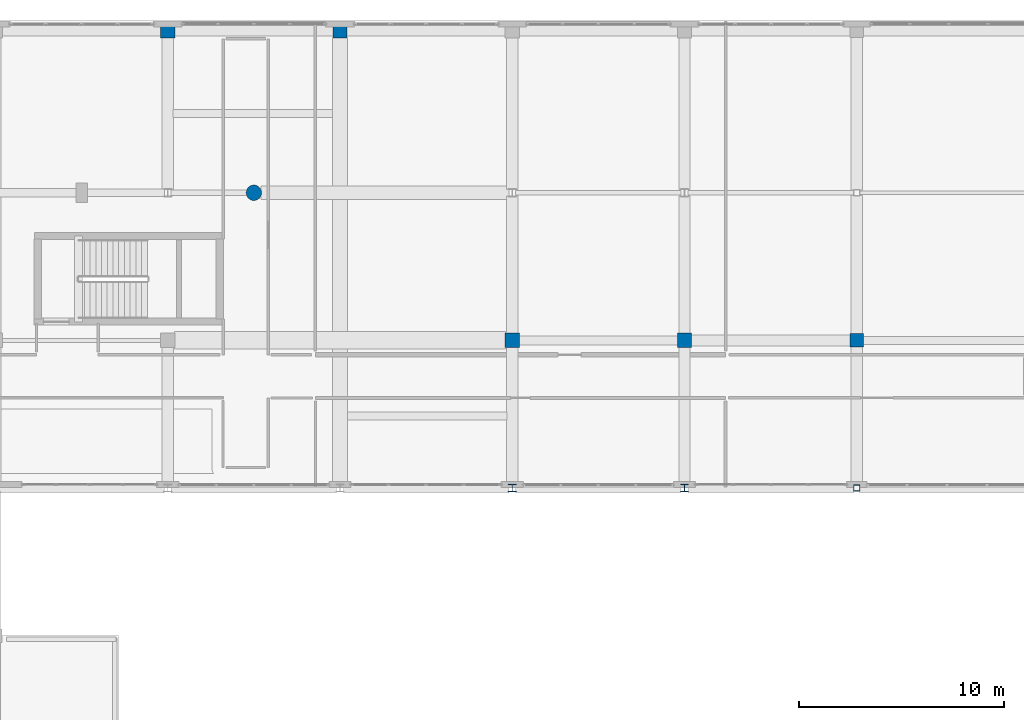
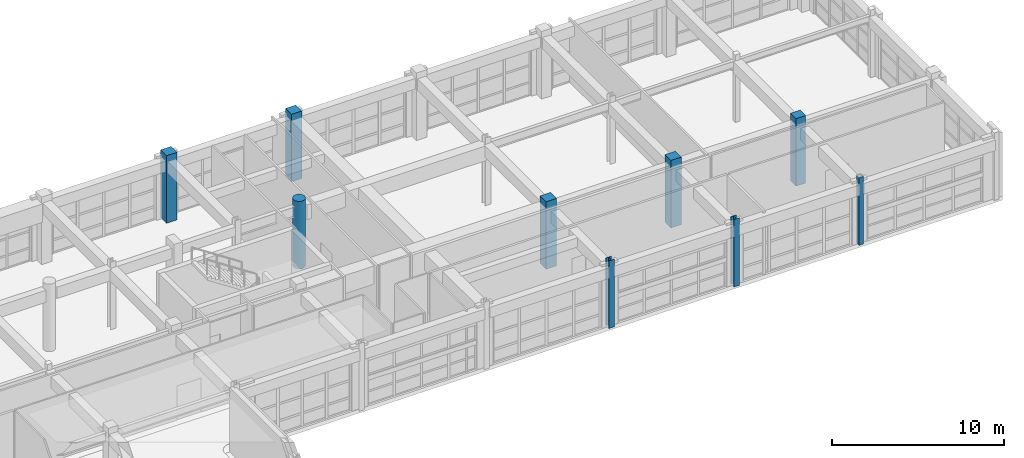
# One storey, part 13 of 123: 9 columns.
"""IFC4 building model written with IfcOpenShell, lengths in metres."""

from ifc_helpers import new_model, si_unit, direction, frame, origin, origin_2d, place, context, subcontext, project, spatial, rectangle, hollow_rectangle, circle, i_section, extrude, material, material_profile, profile_set, type_object, element, save


model = new_model("IFC4")

# Units and contexts
model_context = context("Model", 3, precision=1e-05, world=origin(), true_north=direction((0.0, 1.0)))
body_context = subcontext(model_context, "Body", "Model", "MODEL_VIEW")
ifc_project = project(units=[si_unit("LENGTHUNIT", "METRE"), si_unit("AREAUNIT", "SQUARE_METRE"), si_unit("VOLUMEUNIT", "CUBIC_METRE"), si_unit("PLANEANGLEUNIT", "RADIAN"), si_unit("MASSUNIT", "GRAM", prefix="KILO")], contexts=[model_context])

# Site, building, storey
site_placement = place(None, origin())
site = spatial("IfcSite", under=ifc_project, at=site_placement, CompositionType="ELEMENT")
building_placement = place(site_placement, origin())
building = spatial("IfcBuilding", under=site, at=building_placement, Name="Quendrovan Civic Courthouse", CompositionType="ELEMENT")
storey_placement = place(building_placement, frame((0.0, 0.0, 5.39990234375)))
storey = spatial("IfcBuildingStorey", under=building, at=storey_placement, Name="L02", CompositionType="ELEMENT", Elevation=5.39990234375)

# Columns
ifc_material_1 = material(Name="Precast concrete C45/55", Category="concrete")
ifc_material_profile_1 = material_profile(ifc_material_1, circle(Radius=0.375, at=origin_2d()), Name="RC-ARCADE-D750")
ifc_profile_set_1 = profile_set([ifc_material_profile_1], Name="Precast concrete C45/55")
column_type_1 = type_object("IfcColumnType", Name="COL-ARC750", PredefinedType="PILASTER", material=ifc_profile_set_1)
column_1_placement = place(storey_placement, frame((121.800048828125, 102.0, 0.0), z_axis=(0.0, 0.0, 1.0), x_axis=(1.0, 0.0, 0.0)))
element("IfcColumn", 1, at=column_1_placement, inside=storey, type_object=column_type_1, Name="L02 Column PIL-N6", PredefinedType="PILASTER", context=body_context, shape_type="SweptSolid", body=[
    extrude(circle(Radius=0.375, at=origin_2d()), origin(), (0.0, 0.0, 1.0), 4.800048828125),
])
ifc_material_2 = material(Name="Concrete C45/55", Category="concrete")
ifc_material_profile_2 = material_profile(ifc_material_2, rectangle(XDim=0.64990234375, YDim=0.64990234375, at=origin_2d()), Name="RC-COL-650x650")
ifc_profile_set_2 = profile_set([ifc_material_profile_2], Name="Concrete C45/55")
column_type_2 = type_object("IfcColumnType", Name="COL-RC650", PredefinedType="COLUMN", material=ifc_profile_set_2)
column_2_placement = place(storey_placement, frame((151.199951171875, 94.800048828125, 0.0), z_axis=(0.0, 0.0, 1.0), x_axis=(1.0, 0.0, 0.0)))
element("IfcColumn", 2, at=column_2_placement, inside=storey, type_object=column_type_2, Name="L02 Column 19-N", PredefinedType="COLUMN", context=body_context, shape_type="SweptSolid", body=[
    extrude(rectangle(XDim=0.64990234375, YDim=0.64990234375, at=origin_2d()), origin(), (0.0, 0.0, 1.0), 4.800048828125),
])
ifc_material_profile_3 = material_profile(ifc_material_2, rectangle(XDim=0.699951171875, YDim=0.699951171875, at=origin_2d()), Name="RC-COL-700x700")
ifc_profile_set_3 = profile_set([ifc_material_profile_3], Name="Concrete C45/55")
column_type_3 = type_object("IfcColumnType", Name="COL-RC700", PredefinedType="COLUMN", material=ifc_profile_set_3)
for number, where, z_axis, x_axis, name in (
    (3, (117.60009765625, 109.89990234375, 0.0), (0.0, 0.0, 1.0), (1.0, 0.0, 0.0), "L02 Column 15-Q"),
    (4, (126.0, 109.89990234375, 0.0), (0.0, 0.0, 1.0), (1.0, 0.0, 0.0), "L02 Column 16-Q"),
    (5, (134.39990234375, 94.800048828125, 0.0), (0.0, 0.0, 1.0), (1.0, 0.0, 0.0), "L02 Column 17-N"),
    (6, (142.800048828125, 94.800048828125, 0.0), (0.0, 0.0, 1.0), (1.0, 0.0, 0.0), "L02 Column 18-N"),
):
    element("IfcColumn", number, at=place(storey_placement, frame(where, z_axis=z_axis, x_axis=x_axis)), inside=storey, type_object=column_type_3, Name=name, PredefinedType="COLUMN", context=body_context, shape_type="SweptSolid", body=[
        extrude(rectangle(XDim=0.699951171875, YDim=0.699951171875, at=origin_2d()), origin(), (0.0, 0.0, 1.0), 4.800048828125),
    ])
ifc_material_3 = material(Name="Steel ASTM A500 Grade C", Category="steel")
ifc_material_profile_4 = material_profile(ifc_material_3, hollow_rectangle(XDim=0.300048828125, YDim=0.300048828125, WallThickness=0.011962890625, at=origin_2d()), Name="HSS300x300x12")
ifc_profile_set_4 = profile_set([ifc_material_profile_4], Name="Steel ASTM A500 Grade C")
column_type_4 = type_object("IfcColumnType", Name="COL-STL-HSS300S", PredefinedType="COLUMN", material=ifc_profile_set_4)
column_3_placement = place(storey_placement, frame((151.199951171875, 87.60009765625, 0.0), z_axis=(0.0, 0.0, 1.0), x_axis=(1.0, 0.0, 0.0)))
element("IfcColumn", 7, at=column_3_placement, inside=storey, type_object=column_type_4, Name="L02 Column 19-M", PredefinedType="COLUMN", context=body_context, shape_type="SweptSolid", body=[
    extrude(hollow_rectangle(XDim=0.300048828125, YDim=0.300048828125, WallThickness=0.011962890625, at=origin_2d()), origin(), (0.0, 0.0, 1.0), 4.800048828125),
])
ifc_material_4 = material(Name="Steel ASTM A992 Grade 50", Category="steel")
ifc_material_profile_5 = material_profile(ifc_material_4, i_section(OverallWidth=0.3740234375, OverallDepth=0.3720703125, WebThickness=0.016357421875, FlangeThickness=0.026123046875, at=origin_2d()), Name="W14X132")
ifc_profile_set_5 = profile_set([ifc_material_profile_5], Name="Steel ASTM A992 Grade 50")
column_type_5 = type_object("IfcColumnType", Name="COL-STL-W14X132", PredefinedType="COLUMN", material=ifc_profile_set_5)
for number, where, z_axis, x_axis, name in (
    (8, (134.39990234375, 87.60009765625, 0.0), (0.0, 0.0, 1.0), (1.0, 0.0, 0.0), "L02 Column 17-M"),
    (9, (142.800048828125, 87.60009765625, 0.0), (0.0, 0.0, 1.0), (1.0, 0.0, 0.0), "L02 Column 18-M"),
):
    element("IfcColumn", number, at=place(storey_placement, frame(where, z_axis=z_axis, x_axis=x_axis)), inside=storey, type_object=column_type_5, Name=name, PredefinedType="COLUMN", context=body_context, shape_type="SweptSolid", body=[
        extrude(i_section(OverallWidth=0.3740234375, OverallDepth=0.3720703125, WebThickness=0.016357421875, FlangeThickness=0.026123046875, at=origin_2d()), origin(), (0.0, 0.0, 1.0), 4.800048828125),
    ])

save(model, "model.ifc")
